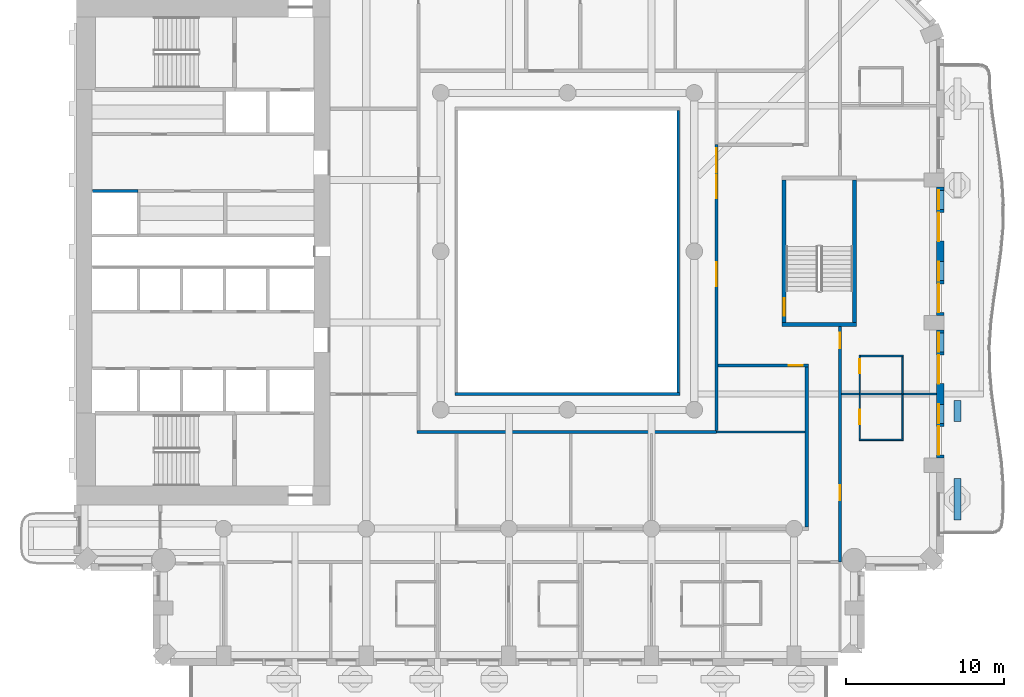
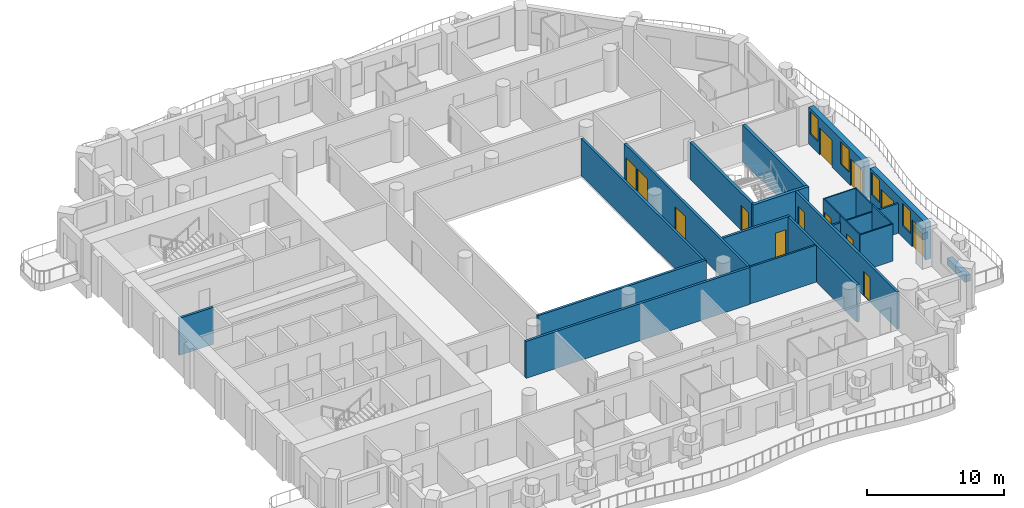
# One storey, part 6 of 19: 25 walls, 13 doors, 4 windows, 17 openings.
"""IFC4 building model written with IfcOpenShell, lengths in metres."""

from ifc_helpers import new_model, si_unit, direction, frame, frame_2d, origin, place, context, subcontext, project, spatial, rectangle, extrude, material, layer, layer_set, type_object, element, fill, save


model = new_model("IFC4")

# Units and contexts
model_context = context("Model", 3, precision=1e-05, world=origin(), true_north=direction((0.0, 1.0)))
body_context = subcontext(model_context, "Body", "Model", "MODEL_VIEW")
ifc_project = project(units=[si_unit("LENGTHUNIT", "METRE"), si_unit("AREAUNIT", "SQUARE_METRE"), si_unit("VOLUMEUNIT", "CUBIC_METRE"), si_unit("PLANEANGLEUNIT", "RADIAN"), si_unit("MASSUNIT", "GRAM", prefix="KILO")], contexts=[model_context])

# Site, building, storey
site_placement = place(None, origin())
site = spatial("IfcSite", under=ifc_project, at=site_placement, CompositionType="ELEMENT")
building_placement = place(site_placement, origin())
building = spatial("IfcBuilding", under=site, at=building_placement, Name="Cypress Arch Tower", CompositionType="ELEMENT")
storey_placement = place(building_placement, frame((0.0, 0.0, 138.300048828125)))
storey = spatial("IfcBuildingStorey", under=building, at=storey_placement, Name="L30", CompositionType="ELEMENT", Elevation=138.300048828125)

# Walls
ifc_material_1 = material(Name="Concrete C40/50, waterproofed", Category="concrete")
ifc_layer_1 = layer(ifc_material_1, 0.449951171875)
ifc_layer_set_1 = layer_set([ifc_layer_1], Name="Balcony planter wall PW450")
wall_type_1 = type_object("IfcWallType", Name="Balcony planter wall PW450", PredefinedType="SOLIDWALL", material=ifc_layer_set_1)
wall_1_placement = place(storey_placement, frame((25.60009765625, -16.949951171875, 0.0), z_axis=(0.0, 0.0, 1.0), x_axis=(0.0, 1.0, 0.0)))
element("IfcWall", 1, at=wall_1_placement, inside=storey, type_object=wall_type_1, Name="Balcony planter wall L30-A06.1", PredefinedType="SOLIDWALL", context=body_context, shape_type="SweptSolid", body=[
    extrude(rectangle(XDim=2.6142578125, YDim=0.449951171875, at=frame_2d((1.30712890625, 0.0))), origin(), (0.0, 0.0, 1.0), 0.599853515625),
])
wall_2_placement = place(storey_placement, frame((25.60009765625, -10.75, 0.0), z_axis=(0.0, 0.0, 1.0), x_axis=(0.0, 1.0, 0.0)))
element("IfcWall", 2, at=wall_2_placement, inside=storey, type_object=wall_type_1, Name="Balcony planter wall L30-A06.2", PredefinedType="SOLIDWALL", context=body_context, shape_type="SweptSolid", body=[
    extrude(rectangle(XDim=1.32861328125, YDim=0.449951171875, at=frame_2d((0.664306640625, 0.0))), origin(), (0.0, 0.0, 1.0), 0.599853515625),
])

# Wall, openings, doors, windows
ifc_material_2 = material(Name="Brick (red buff blend)", Category="masonry")
ifc_layer_2 = layer(ifc_material_2, 0.449951171875)
ifc_layer_set_2 = layer_set([ifc_layer_2], Name="Brick pier and spandrel wall BW450")
wall_type_2 = type_object("IfcWallType", Name="Brick pier and spandrel wall BW450", PredefinedType="SOLIDWALL", material=ifc_layer_set_2)
wall_3_placement = place(storey_placement, frame((24.52490234375, -13.050048828125, 0.0), z_axis=(0.0, 0.0, 1.0), x_axis=(0.0, 1.0, 0.0)))
wall_3 = element("IfcWall", 3, at=wall_3_placement, inside=storey, type_object=wall_type_2, Name="Brick wall L30 A06.1", PredefinedType="SOLIDWALL", context=body_context, shape_type="SweptSolid", body=[
    extrude(rectangle(XDim=8.10009765625, YDim=0.449951171875, at=frame_2d((4.050048828125, 0.0))), origin(), (0.0, 0.0, 1.0), 3.300048828125),
])
opening_1_placement = place(wall_3_placement, frame((0.199951171875, 0.0, 0.0)))
opening_1 = element("IfcOpeningElement", 4, at=opening_1_placement, cuts=wall_3, Name="Opening D-L30-A06.1.1", PredefinedType="OPENING", context=body_context, shape_type="SweptSolid", body=[
    extrude(rectangle(XDim=1.800048828125, YDim=2.39990234375, at=frame_2d((0.89990234375, 1.199951171875))), frame((0.0, 0.23486328125, 0.0), z_axis=(0.0, -1.0, 0.0), x_axis=(1.0, 0.0, 0.0)), (0.0, 0.0, 1.0), 0.469970703125),
])
opening_2_placement = place(wall_3_placement, frame((2.199951171875, 0.0, 1.050048828125)))
opening_2 = element("IfcOpeningElement", 5, at=opening_2_placement, cuts=wall_3, Name="Opening W120HD", PredefinedType="OPENING", context=body_context, shape_type="SweptSolid", body=[
    extrude(rectangle(XDim=1.199951171875, YDim=2.0, at=frame_2d((0.60009765625, 1.0))), frame((0.0, 0.23486328125, 0.0), z_axis=(0.0, -1.0, 0.0), x_axis=(1.0, 0.0, 0.0)), (0.0, 0.0, 1.0), 0.469970703125),
])
opening_3_placement = place(wall_3_placement, frame((4.699951171875, 0.0, 0.0)))
opening_3 = element("IfcOpeningElement", 6, at=opening_3_placement, cuts=wall_3, Name="Opening D-L30-A06.1.2", PredefinedType="OPENING", context=body_context, shape_type="SweptSolid", body=[
    extrude(rectangle(XDim=1.800048828125, YDim=2.39990234375, at=frame_2d((0.89990234375, 1.199951171875))), frame((0.0, 0.23486328125, 0.0), z_axis=(0.0, -1.0, 0.0), x_axis=(1.0, 0.0, 0.0)), (0.0, 0.0, 1.0), 0.469970703125),
])
opening_4_placement = place(wall_3_placement, frame((6.699951171875, 0.0, 1.050048828125)))
opening_4 = element("IfcOpeningElement", 7, at=opening_4_placement, cuts=wall_3, Name="Opening W120HD", PredefinedType="OPENING", context=body_context, shape_type="SweptSolid", body=[
    extrude(rectangle(XDim=1.199951171875, YDim=2.0, at=frame_2d((0.60009765625, 1.0))), frame((0.0, 0.23486328125, 0.0), z_axis=(0.0, -1.0, 0.0), x_axis=(1.0, 0.0, 0.0)), (0.0, 0.0, 1.0), 0.469970703125),
])
ifc_material_3 = material(Name="Anodised aluminium, bronze finish, laminated low-emissivity double glazing, large-missile impact rated", Category="aluminium")
door_type_1 = type_object("IfcDoorType", Name="Balcony sliding door 1800x2400", OperationType="SLIDING_TO_LEFT", PredefinedType="DOOR", material=ifc_material_3)
door_1_placement = place(opening_1_placement, origin())
door_1 = element("IfcDoor", 8, at=door_1_placement, inside=storey, type_object=door_type_1, Name="Balcony door L30 A06.1.1", OperationType="SLIDING_TO_LEFT", OverallHeight=2.39990234375, OverallWidth=1.800048828125, PredefinedType="DOOR", context=body_context, shape_type="SweptSolid", body=[
    extrude(rectangle(XDim=1.800048828125, YDim=2.39990234375, at=frame_2d((0.89990234375, 1.199951171875))), frame((0.0, 0.1298828125, 0.0), z_axis=(0.0, -1.0, 0.0), x_axis=(1.0, 0.0, 0.0)), (0.0, 0.0, 1.0), 0.050048828125),
])
fill(opening_1, door_1)
door_2_placement = place(opening_3_placement, origin())
door_2 = element("IfcDoor", 9, at=door_2_placement, inside=storey, type_object=door_type_1, Name="Balcony door L30 A06.1.2", OperationType="SLIDING_TO_LEFT", OverallHeight=2.39990234375, OverallWidth=1.800048828125, PredefinedType="DOOR", context=body_context, shape_type="SweptSolid", body=[
    extrude(rectangle(XDim=1.800048828125, YDim=2.39990234375, at=frame_2d((0.89990234375, 1.199951171875))), frame((0.0, 0.1298828125, 0.0), z_axis=(0.0, -1.0, 0.0), x_axis=(1.0, 0.0, 0.0)), (0.0, 0.0, 1.0), 0.050048828125),
])
fill(opening_3, door_2)
ifc_material_4 = material(Name="Anodised aluminium, bronze finish, laminated low-emissivity double glazing, large-missile impact rated", Category="aluminium")
window_type = type_object("IfcWindowType", Name="Window Hotel 1200x2000 debris-rated", PartitioningType="SINGLE_PANEL", PredefinedType="WINDOW", material=ifc_material_4)
window_1_placement = place(opening_2_placement, origin())
window_1 = element("IfcWindow", 10, at=window_1_placement, inside=storey, type_object=window_type, Name="Window L30 A06.1.1", OverallHeight=2.0, OverallWidth=1.199951171875, PartitioningType="SINGLE_PANEL", PredefinedType="WINDOW", context=body_context, shape_type="SweptSolid", body=[
    extrude(rectangle(XDim=1.199951171875, YDim=2.0, at=frame_2d((0.60009765625, 1.0))), frame((0.0, 0.135009765625, 0.0), z_axis=(0.0, -1.0, 0.0), x_axis=(1.0, 0.0, 0.0)), (0.0, 0.0, 1.0), 0.06005859375),
])
fill(opening_2, window_1)
window_2_placement = place(opening_4_placement, origin())
window_2 = element("IfcWindow", 11, at=window_2_placement, inside=storey, type_object=window_type, Name="Window L30 A06.1.2", OverallHeight=2.0, OverallWidth=1.199951171875, PartitioningType="SINGLE_PANEL", PredefinedType="WINDOW", context=body_context, shape_type="SweptSolid", body=[
    extrude(rectangle(XDim=1.199951171875, YDim=2.0, at=frame_2d((0.60009765625, 1.0))), frame((0.0, 0.135009765625, 0.0), z_axis=(0.0, -1.0, 0.0), x_axis=(1.0, 0.0, 0.0)), (0.0, 0.0, 1.0), 0.06005859375),
])
fill(opening_4, window_2)

wall_4_placement = place(storey_placement, frame((24.52490234375, -4.050048828125, 0.0), z_axis=(0.0, 0.0, 1.0), x_axis=(0.0, 1.0, 0.0)))
wall_4 = element("IfcWall", 12, at=wall_4_placement, inside=storey, type_object=wall_type_2, Name="Brick wall L30 A06.2", PredefinedType="SOLIDWALL", context=body_context, shape_type="SweptSolid", body=[
    extrude(rectangle(XDim=8.10009765625, YDim=0.449951171875, at=frame_2d((4.050048828125, 0.0))), origin(), (0.0, 0.0, 1.0), 3.300048828125),
])
opening_5_placement = place(wall_4_placement, frame((0.199951171875, 0.0, 0.0)))
opening_5 = element("IfcOpeningElement", 13, at=opening_5_placement, cuts=wall_4, Name="Opening D-L30-A06.2.1", PredefinedType="OPENING", context=body_context, shape_type="SweptSolid", body=[
    extrude(rectangle(XDim=1.800048828125, YDim=2.39990234375, at=frame_2d((0.89990234375, 1.199951171875))), frame((0.0, 0.23486328125, 0.0), z_axis=(0.0, -1.0, 0.0), x_axis=(1.0, 0.0, 0.0)), (0.0, 0.0, 1.0), 0.469970703125),
])
opening_6_placement = place(wall_4_placement, frame((2.199951171875, 0.0, 1.050048828125)))
opening_6 = element("IfcOpeningElement", 14, at=opening_6_placement, cuts=wall_4, Name="Opening W120HD", PredefinedType="OPENING", context=body_context, shape_type="SweptSolid", body=[
    extrude(rectangle(XDim=1.199951171875, YDim=2.0, at=frame_2d((0.60009765625, 1.0))), frame((0.0, 0.23486328125, 0.0), z_axis=(0.0, -1.0, 0.0), x_axis=(1.0, 0.0, 0.0)), (0.0, 0.0, 1.0), 0.469970703125),
])
opening_7_placement = place(wall_4_placement, frame((4.699951171875, 0.0, 0.0)))
opening_7 = element("IfcOpeningElement", 15, at=opening_7_placement, cuts=wall_4, Name="Opening D-L30-A06.2.2", PredefinedType="OPENING", context=body_context, shape_type="SweptSolid", body=[
    extrude(rectangle(XDim=1.800048828125, YDim=2.39990234375, at=frame_2d((0.89990234375, 1.199951171875))), frame((0.0, 0.23486328125, 0.0), z_axis=(0.0, -1.0, 0.0), x_axis=(1.0, 0.0, 0.0)), (0.0, 0.0, 1.0), 0.469970703125),
])
opening_8_placement = place(wall_4_placement, frame((6.699951171875, 0.0, 1.050048828125)))
opening_8 = element("IfcOpeningElement", 16, at=opening_8_placement, cuts=wall_4, Name="Opening W120HD", PredefinedType="OPENING", context=body_context, shape_type="SweptSolid", body=[
    extrude(rectangle(XDim=1.199951171875, YDim=2.0, at=frame_2d((0.60009765625, 1.0))), frame((0.0, 0.23486328125, 0.0), z_axis=(0.0, -1.0, 0.0), x_axis=(1.0, 0.0, 0.0)), (0.0, 0.0, 1.0), 0.469970703125),
])
door_3_placement = place(opening_5_placement, origin())
door_3 = element("IfcDoor", 17, at=door_3_placement, inside=storey, type_object=door_type_1, Name="Balcony door L30 A06.2.1", OperationType="SLIDING_TO_LEFT", OverallHeight=2.39990234375, OverallWidth=1.800048828125, PredefinedType="DOOR", context=body_context, shape_type="SweptSolid", body=[
    extrude(rectangle(XDim=1.800048828125, YDim=2.39990234375, at=frame_2d((0.89990234375, 1.199951171875))), frame((0.0, 0.1298828125, 0.0), z_axis=(0.0, -1.0, 0.0), x_axis=(1.0, 0.0, 0.0)), (0.0, 0.0, 1.0), 0.050048828125),
])
fill(opening_5, door_3)
door_4_placement = place(opening_7_placement, origin())
door_4 = element("IfcDoor", 18, at=door_4_placement, inside=storey, type_object=door_type_1, Name="Balcony door L30 A06.2.2", OperationType="SLIDING_TO_LEFT", OverallHeight=2.39990234375, OverallWidth=1.800048828125, PredefinedType="DOOR", context=body_context, shape_type="SweptSolid", body=[
    extrude(rectangle(XDim=1.800048828125, YDim=2.39990234375, at=frame_2d((0.89990234375, 1.199951171875))), frame((0.0, 0.1298828125, 0.0), z_axis=(0.0, -1.0, 0.0), x_axis=(1.0, 0.0, 0.0)), (0.0, 0.0, 1.0), 0.050048828125),
])
fill(opening_7, door_4)
window_3_placement = place(opening_6_placement, origin())
window_3 = element("IfcWindow", 19, at=window_3_placement, inside=storey, type_object=window_type, Name="Window L30 A06.2.1", OverallHeight=2.0, OverallWidth=1.199951171875, PartitioningType="SINGLE_PANEL", PredefinedType="WINDOW", context=body_context, shape_type="SweptSolid", body=[
    extrude(rectangle(XDim=1.199951171875, YDim=2.0, at=frame_2d((0.60009765625, 1.0))), frame((0.0, 0.135009765625, 0.0), z_axis=(0.0, -1.0, 0.0), x_axis=(1.0, 0.0, 0.0)), (0.0, 0.0, 1.0), 0.06005859375),
])
fill(opening_6, window_3)
window_4_placement = place(opening_8_placement, origin())
window_4 = element("IfcWindow", 20, at=window_4_placement, inside=storey, type_object=window_type, Name="Window L30 A06.2.2", OverallHeight=2.0, OverallWidth=1.199951171875, PartitioningType="SINGLE_PANEL", PredefinedType="WINDOW", context=body_context, shape_type="SweptSolid", body=[
    extrude(rectangle(XDim=1.199951171875, YDim=2.0, at=frame_2d((0.60009765625, 1.0))), frame((0.0, 0.135009765625, 0.0), z_axis=(0.0, -1.0, 0.0), x_axis=(1.0, 0.0, 0.0)), (0.0, 0.0, 1.0), 0.06005859375),
])
fill(opening_8, window_4)

# Walls
ifc_material_5 = material(Name="Concrete blockwork, plastered, rated", Category="masonry")
ifc_layer_3 = layer(ifc_material_5, 0.199951171875)
ifc_layer_set_3 = layer_set([ifc_layer_3], Name="Corridor wall FW200")
wall_type_3 = type_object("IfcWallType", Name="Corridor wall FW200", PredefinedType="PARTITIONING", material=ifc_layer_set_3)
wall_5_placement = place(storey_placement, frame((-8.5, -11.39990234375, 0.0), z_axis=(0.0, 0.0, 1.0), x_axis=(1.0, 0.0, 0.0)))
element("IfcWall", 21, at=wall_5_placement, inside=storey, type_object=wall_type_3, Name="Corridor wall", PredefinedType="PARTITIONING", context=body_context, shape_type="SweptSolid", body=[
    extrude(rectangle(XDim=18.89990234375, YDim=0.199951171875, at=frame_2d((9.449951171875, 0.0))), origin(), (0.0, 0.0, 1.0), 3.300048828125),
])
wall_6_placement = place(storey_placement, frame((-6.10009765625, -9.0, 0.0), z_axis=(0.0, 0.0, 1.0), x_axis=(1.0, 0.0, 0.0)))
element("IfcWall", 22, at=wall_6_placement, inside=storey, type_object=wall_type_3, Name="Corridor wall", PredefinedType="PARTITIONING", context=body_context, shape_type="SweptSolid", body=[
    extrude(rectangle(XDim=14.2001953125, YDim=0.199951171875, at=frame_2d((7.10009765625, 0.0))), origin(), (0.0, 0.0, 1.0), 3.300048828125),
])
wall_7_placement = place(storey_placement, frame((8.0, -8.89990234375, 0.0), z_axis=(0.0, 0.0, 1.0), x_axis=(0.0, 1.0, 0.0)))
element("IfcWall", 23, at=wall_7_placement, inside=storey, type_object=wall_type_3, Name="Corridor wall", PredefinedType="PARTITIONING", context=body_context, shape_type="SweptSolid", body=[
    extrude(rectangle(XDim=17.7998046875, YDim=0.199951171875, at=frame_2d((8.89990234375, 0.0))), origin(), (0.0, 0.0, 1.0), 3.300048828125),
])

# Wall, openings, doors
wall_8_placement = place(storey_placement, frame((10.39990234375, -11.300048828125, 0.0), z_axis=(0.0, 0.0, 1.0), x_axis=(0.0, 1.0, 0.0)))
wall_8 = element("IfcWall", 24, at=wall_8_placement, inside=storey, type_object=wall_type_3, Name="Corridor wall", PredefinedType="PARTITIONING", context=body_context, shape_type="SweptSolid", body=[
    extrude(rectangle(XDim=18.045166015625, YDim=0.199951171875, at=frame_2d((9.0224609375, 0.0))), origin(), (0.0, 0.0, 1.0), 3.300048828125),
])
opening_9_placement = place(wall_8_placement, frame((16.300048828125, 0.0, 0.0)))
opening_9 = element("IfcOpeningElement", 25, at=opening_9_placement, cuts=wall_8, Name="Opening D04", PredefinedType="OPENING", context=body_context, shape_type="SweptSolid", body=[
    extrude(rectangle(XDim=1.5, YDim=2.199951171875, at=frame_2d((0.75, 1.10009765625))), frame((0.0, 0.10986328125, 0.0), z_axis=(0.0, -1.0, 0.0), x_axis=(1.0, 0.0, 0.0)), (0.0, 0.0, 1.0), 0.219970703125),
])
opening_10_placement = place(wall_8_placement, frame((14.64990234375, 0.0, 0.0)))
opening_10 = element("IfcOpeningElement", 26, at=opening_10_placement, cuts=wall_8, Name="Opening D04", PredefinedType="OPENING", context=body_context, shape_type="SweptSolid", body=[
    extrude(rectangle(XDim=1.5, YDim=2.199951171875, at=frame_2d((0.75, 1.10009765625))), frame((0.0, 0.10986328125, 0.0), z_axis=(0.0, -1.0, 0.0), x_axis=(1.0, 0.0, 0.0)), (0.0, 0.0, 1.0), 0.219970703125),
])
opening_11_placement = place(wall_8_placement, frame((9.10009765625, 0.0, 0.0)))
opening_11 = element("IfcOpeningElement", 27, at=opening_11_placement, cuts=wall_8, Name="Opening D04", PredefinedType="OPENING", context=body_context, shape_type="SweptSolid", body=[
    extrude(rectangle(XDim=1.5, YDim=2.199951171875, at=frame_2d((0.75, 1.10009765625))), frame((0.0, 0.10986328125, 0.0), z_axis=(0.0, -1.0, 0.0), x_axis=(1.0, 0.0, 0.0)), (0.0, 0.0, 1.0), 0.219970703125),
])
ifc_material_6 = material(Name="Timber double door", Category="wood")
door_type_2 = type_object("IfcDoorType", Name="Double door D04 1500x2200", OperationType="DOUBLE_DOOR_SINGLE_SWING", PredefinedType="DOOR", material=ifc_material_6)
door_5_placement = place(opening_9_placement, origin())
door_5 = element("IfcDoor", 28, at=door_5_placement, inside=storey, type_object=door_type_2, Name="Double door", OperationType="DOUBLE_DOOR_SINGLE_SWING", OverallHeight=2.199951171875, OverallWidth=1.5, PredefinedType="DOOR", context=body_context, shape_type="SweptSolid", body=[
    extrude(rectangle(XDim=1.5, YDim=2.199951171875, at=frame_2d((0.75, 1.10009765625))), frame((0.0, 0.02490234375, 0.0), z_axis=(0.0, -1.0, 0.0), x_axis=(1.0, 0.0, 0.0)), (0.0, 0.0, 1.0), 0.050048828125),
])
fill(opening_9, door_5)
door_6_placement = place(opening_10_placement, origin())
door_6 = element("IfcDoor", 29, at=door_6_placement, inside=storey, type_object=door_type_2, Name="Double door", OperationType="DOUBLE_DOOR_SINGLE_SWING", OverallHeight=2.199951171875, OverallWidth=1.5, PredefinedType="DOOR", context=body_context, shape_type="SweptSolid", body=[
    extrude(rectangle(XDim=1.5, YDim=2.199951171875, at=frame_2d((0.75, 1.10009765625))), frame((0.0, 0.02490234375, 0.0), z_axis=(0.0, -1.0, 0.0), x_axis=(1.0, 0.0, 0.0)), (0.0, 0.0, 1.0), 0.050048828125),
])
fill(opening_10, door_6)
door_7_placement = place(opening_11_placement, origin())
door_7 = element("IfcDoor", 30, at=door_7_placement, inside=storey, type_object=door_type_2, Name="Double door", OperationType="DOUBLE_DOOR_SINGLE_SWING", OverallHeight=2.199951171875, OverallWidth=1.5, PredefinedType="DOOR", context=body_context, shape_type="SweptSolid", body=[
    extrude(rectangle(XDim=1.5, YDim=2.199951171875, at=frame_2d((0.75, 1.10009765625))), frame((0.0, 0.02490234375, 0.0), z_axis=(0.0, -1.0, 0.0), x_axis=(1.0, 0.0, 0.0)), (0.0, 0.0, 1.0), 0.050048828125),
])
fill(opening_11, door_7)

# Wall, opening, door
wall_9_placement = place(storey_placement, frame((10.5, -7.199951171875, 0.0), z_axis=(0.0, 0.0, 1.0), x_axis=(1.0, 0.0, 0.0)))
wall_9 = element("IfcWall", 31, at=wall_9_placement, inside=storey, type_object=wall_type_3, Name="Corridor wall", PredefinedType="PARTITIONING", context=body_context, shape_type="SweptSolid", body=[
    extrude(rectangle(XDim=5.699951171875, YDim=0.199951171875, at=frame_2d((2.85009765625, 0.0))), origin(), (0.0, 0.0, 1.0), 3.300048828125),
])
opening_12_placement = place(wall_9_placement, frame((4.449951171875, 0.0, 0.0)))
opening_12 = element("IfcOpeningElement", 32, at=opening_12_placement, cuts=wall_9, Name="Opening D05", PredefinedType="OPENING", context=body_context, shape_type="SweptSolid", body=[
    extrude(rectangle(XDim=0.89990234375, YDim=2.199951171875, at=frame_2d((0.449951171875, 1.10009765625))), frame((0.0, 0.10986328125, 0.0), z_axis=(0.0, -1.0, 0.0), x_axis=(1.0, 0.0, 0.0)), (0.0, 0.0, 1.0), 0.219970703125),
])
ifc_material_7 = material(Name="Timber flush door", Category="wood")
door_type_3 = type_object("IfcDoorType", Name="Service door D05 900x2200", OperationType="SINGLE_SWING_LEFT", PredefinedType="DOOR", material=ifc_material_7)
door_8_placement = place(opening_12_placement, origin())
door_8 = element("IfcDoor", 33, at=door_8_placement, inside=storey, type_object=door_type_3, Name="Service door", OperationType="SINGLE_SWING_LEFT", OverallHeight=2.199951171875, OverallWidth=0.89990234375, PredefinedType="DOOR", context=body_context, shape_type="SweptSolid", body=[
    extrude(rectangle(XDim=0.89990234375, YDim=2.199951171875, at=frame_2d((0.449951171875, 1.10009765625))), frame((0.0, 0.02490234375, 0.0), z_axis=(0.0, -1.0, 0.0), x_axis=(1.0, 0.0, 0.0)), (0.0, 0.0, 1.0), 0.050048828125),
])
fill(opening_12, door_8)

# Wall
wall_10_placement = place(storey_placement, frame((16.10009765625, -17.39990234375, 0.0), z_axis=(0.0, 0.0, 1.0), x_axis=(0.0, 1.0, 0.0)))
element("IfcWall", 34, at=wall_10_placement, inside=storey, type_object=wall_type_3, Name="Corridor wall", PredefinedType="PARTITIONING", context=body_context, shape_type="SweptSolid", body=[
    extrude(rectangle(XDim=10.099853515625, YDim=0.199951171875, at=frame_2d((5.0498046875, 0.0))), origin(), (0.0, 0.0, 1.0), 3.300048828125),
])

# Wall, openings, doors
wall_11_placement = place(storey_placement, frame((18.199951171875, -19.60009765625, 0.0), z_axis=(0.0, 0.0, 1.0), x_axis=(0.0, 1.0, 0.0)))
wall_11 = element("IfcWall", 35, at=wall_11_placement, inside=storey, type_object=wall_type_3, Name="Corridor wall", PredefinedType="PARTITIONING", context=body_context, shape_type="SweptSolid", body=[
    extrude(rectangle(XDim=14.85009765625, YDim=0.199951171875, at=frame_2d((7.425048828125, 0.0))), origin(), (0.0, 0.0, 1.0), 3.300048828125),
])
opening_13_placement = place(wall_11_placement, frame((3.89990234375, 0.0, 0.0)))
opening_13 = element("IfcOpeningElement", 36, at=opening_13_placement, cuts=wall_11, Name="Opening D02", PredefinedType="OPENING", context=body_context, shape_type="SweptSolid", body=[
    extrude(rectangle(XDim=0.949951171875, YDim=2.199951171875, at=frame_2d((0.47509765625, 1.10009765625))), frame((0.0, 0.10986328125, 0.0), z_axis=(0.0, -1.0, 0.0), x_axis=(1.0, 0.0, 0.0)), (0.0, 0.0, 1.0), 0.219970703125),
])
opening_14_placement = place(wall_11_placement, frame((13.5, 0.0, 0.0)))
opening_14 = element("IfcOpeningElement", 37, at=opening_14_placement, cuts=wall_11, Name="Opening D02", PredefinedType="OPENING", context=body_context, shape_type="SweptSolid", body=[
    extrude(rectangle(XDim=0.949951171875, YDim=2.199951171875, at=frame_2d((0.47509765625, 1.10009765625))), frame((0.0, 0.10986328125, 0.0), z_axis=(0.0, -1.0, 0.0), x_axis=(1.0, 0.0, 0.0)), (0.0, 0.0, 1.0), 0.219970703125),
])
ifc_material_8 = material(Name="Timber flush door, fire resisting", Category="wood")
door_type_4 = type_object("IfcDoorType", Name="Room door D02 950x2200", OperationType="SINGLE_SWING_LEFT", PredefinedType="DOOR", material=ifc_material_8)
door_9_placement = place(opening_13_placement, origin())
door_9 = element("IfcDoor", 38, at=door_9_placement, inside=storey, type_object=door_type_4, Name="Room door", OperationType="SINGLE_SWING_RIGHT", OverallHeight=2.199951171875, OverallWidth=0.949951171875, PredefinedType="DOOR", context=body_context, shape_type="SweptSolid", body=[
    extrude(rectangle(XDim=0.949951171875, YDim=2.199951171875, at=frame_2d((0.47509765625, 1.10009765625))), frame((0.0, 0.02490234375, 0.0), z_axis=(0.0, -1.0, 0.0), x_axis=(1.0, 0.0, 0.0)), (0.0, 0.0, 1.0), 0.050048828125),
])
fill(opening_13, door_9)
door_10_placement = place(opening_14_placement, origin())
door_10 = element("IfcDoor", 39, at=door_10_placement, inside=storey, type_object=door_type_4, Name="Room door", OperationType="SINGLE_SWING_LEFT", OverallHeight=2.199951171875, OverallWidth=0.949951171875, PredefinedType="DOOR", context=body_context, shape_type="SweptSolid", body=[
    extrude(rectangle(XDim=0.949951171875, YDim=2.199951171875, at=frame_2d((0.47509765625, 1.10009765625))), frame((0.0, 0.02490234375, 0.0), z_axis=(0.0, -1.0, 0.0), x_axis=(1.0, 0.0, 0.0)), (0.0, 0.0, 1.0), 0.050048828125),
])
fill(opening_14, door_10)

# Walls
ifc_material_9 = material(Name="Blockwork, plastered both sides", Category="masonry")
ifc_layer_4 = layer(ifc_material_9, 0.14990234375)
ifc_layer_set_4 = layer_set([ifc_layer_4], Name="Partition PW150")
wall_type_4 = type_object("IfcWallType", Name="Partition PW150", PredefinedType="PARTITIONING", material=ifc_layer_set_4)
wall_12_placement = place(storey_placement, frame((10.39990234375, -11.39990234375, 0.0), z_axis=(0.0, 0.0, 1.0), x_axis=(1.0, 0.0, 0.0)))
element("IfcWall", 40, at=wall_12_placement, inside=storey, type_object=wall_type_4, Name="Partition", PredefinedType="PARTITIONING", context=body_context, shape_type="SweptSolid", body=[
    extrude(rectangle(XDim=5.60009765625, YDim=0.14990234375, at=frame_2d((2.800048828125, 0.0))), origin(), (0.0, 0.0, 1.0), 3.300048828125),
])
wall_13_placement = place(storey_placement, frame((18.300048828125, -9.0, 0.0), z_axis=(0.0, 0.0, 1.0), x_axis=(1.0, 0.0, 0.0)))
element("IfcWall", 41, at=wall_13_placement, inside=storey, type_object=wall_type_4, Name="Partition", PredefinedType="PARTITIONING", context=body_context, shape_type="SweptSolid", body=[
    extrude(rectangle(XDim=1.1298828125, YDim=0.14990234375, at=frame_2d((0.56494140625, 0.0))), origin(), (0.0, 0.0, 1.0), 2.64990234375),
])
wall_14_placement = place(storey_placement, frame((22.169921875, -9.0, 0.0), z_axis=(0.0, 0.0, 1.0), x_axis=(1.0, 0.0, 0.0)))
element("IfcWall", 42, at=wall_14_placement, inside=storey, type_object=wall_type_4, Name="Partition", PredefinedType="PARTITIONING", context=body_context, shape_type="SweptSolid", body=[
    extrude(rectangle(XDim=2.130126953125, YDim=0.14990234375, at=frame_2d((1.06494140625, 0.0))), origin(), (0.0, 0.0, 1.0), 2.64990234375),
])
ifc_material_10 = material(Name="Concrete C50/60", Category="concrete")
ifc_layer_5 = layer(ifc_material_10, 0.199951171875)
ifc_layer_set_5 = layer_set([ifc_layer_5], Name="Shaft wall SH200")
wall_type_5 = type_object("IfcWallType", Name="Shaft wall SH200", PredefinedType="SHEAR", material=ifc_layer_set_5)
wall_15_placement = place(storey_placement, frame((-28.969970703125, 3.800048828125, 0.0), z_axis=(0.0, 0.0, 1.0), x_axis=(1.0, 0.0, 0.0)))
element("IfcWall", 43, at=wall_15_placement, inside=storey, type_object=wall_type_5, Name="Shaft wall", PredefinedType="SHEAR", context=body_context, shape_type="SweptSolid", body=[
    extrude(rectangle(XDim=2.869873046875, YDim=0.199951171875, at=frame_2d((1.43505859375, 0.0))), origin(), (0.0, 0.0, 1.0), 3.300048828125),
])

# Wall, opening, door
ifc_material_11 = material(Name="Concrete C50/60", Category="concrete")
ifc_layer_6 = layer(ifc_material_11, 0.25)
ifc_layer_set_6 = layer_set([ifc_layer_6], Name="Stair enclosure wall SW250")
wall_type_6 = type_object("IfcWallType", Name="Stair enclosure wall SW250", PredefinedType="SHEAR", material=ifc_layer_set_6)
wall_16_placement = place(storey_placement, frame((14.675048828125, -4.5, 0.0), z_axis=(0.0, 0.0, 1.0), x_axis=(0.0, 1.0, 0.0)))
wall_16 = element("IfcWall", 44, at=wall_16_placement, inside=storey, type_object=wall_type_6, Name="Stair enclosure wall", PredefinedType="SHEAR", context=body_context, shape_type="SweptSolid", body=[
    extrude(rectangle(XDim=9.0, YDim=0.25, at=frame_2d((4.5, 0.0))), origin(), (0.0, 0.0, 1.0), 3.300048828125),
])
opening_15_placement = place(wall_16_placement, frame((0.449951171875, 0.0, 0.0)))
opening_15 = element("IfcOpeningElement", 45, at=opening_15_placement, cuts=wall_16, Name="Opening D06", PredefinedType="OPENING", context=body_context, shape_type="SweptSolid", body=[
    extrude(rectangle(XDim=1.10009765625, YDim=2.199951171875, at=frame_2d((0.550048828125, 1.10009765625))), frame((0.0, 0.135009765625, 0.0), z_axis=(0.0, -1.0, 0.0), x_axis=(1.0, 0.0, 0.0)), (0.0, 0.0, 1.0), 0.27001953125),
])
ifc_material_12 = material(Name="Steel door, fire resisting, panic bar", Category="steel")
door_type_5 = type_object("IfcDoorType", Name="Stair door D06 1100x2200", OperationType="SINGLE_SWING_LEFT", PredefinedType="DOOR", material=ifc_material_12)
door_11_placement = place(opening_15_placement, origin())
door_11 = element("IfcDoor", 46, at=door_11_placement, inside=storey, type_object=door_type_5, Name="Stair door", OperationType="SINGLE_SWING_RIGHT", OverallHeight=2.199951171875, OverallWidth=1.10009765625, PredefinedType="DOOR", context=body_context, shape_type="SweptSolid", body=[
    extrude(rectangle(XDim=1.10009765625, YDim=2.199951171875, at=frame_2d((0.550048828125, 1.10009765625))), frame((0.0, 0.02490234375, 0.0), z_axis=(0.0, -1.0, 0.0), x_axis=(1.0, 0.0, 0.0)), (0.0, 0.0, 1.0), 0.050048828125),
])
fill(opening_15, door_11)

# Walls
wall_17_placement = place(storey_placement, frame((14.550048828125, -4.625, 0.0), z_axis=(0.0, 0.0, 1.0), x_axis=(1.0, 0.0, 0.0)))
element("IfcWall", 47, at=wall_17_placement, inside=storey, type_object=wall_type_6, Name="Stair enclosure wall", PredefinedType="SHEAR", context=body_context, shape_type="SweptSolid", body=[
    extrude(rectangle(XDim=4.699951171875, YDim=0.25, at=frame_2d((2.35009765625, 0.0))), origin(), (0.0, 0.0, 1.0), 3.300048828125),
])
wall_18_placement = place(storey_placement, frame((19.125, -4.5, 0.0), z_axis=(0.0, 0.0, 1.0), x_axis=(0.0, 1.0, 0.0)))
element("IfcWall", 48, at=wall_18_placement, inside=storey, type_object=wall_type_6, Name="Stair enclosure wall", PredefinedType="SHEAR", context=body_context, shape_type="SweptSolid", body=[
    extrude(rectangle(XDim=9.0, YDim=0.25, at=frame_2d((4.5, 0.0))), origin(), (0.0, 0.0, 1.0), 3.300048828125),
])
ifc_material_13 = material(Name="Moisture resistant board on steel studs, tiled", Category="steel")
ifc_layer_7 = layer(ifc_material_13, 0.10009765625)
ifc_layer_set_7 = layer_set([ifc_layer_7], Name="Wet wall PW100")
wall_type_7 = type_object("IfcWallType", Name="Wet wall PW100", PredefinedType="PARTITIONING", material=ifc_layer_set_7)
wall_19_placement = place(storey_placement, frame((19.429931640625, -9.0, 0.0), z_axis=(0.0, 0.0, 1.0), x_axis=(1.0, 0.0, 0.0)))
element("IfcWall", 49, at=wall_19_placement, inside=storey, type_object=wall_type_7, Name="Wet wall", PredefinedType="PARTITIONING", context=body_context, shape_type="SweptSolid", body=[
    extrude(rectangle(XDim=2.739990234375, YDim=0.10009765625, at=frame_2d((1.3701171875, 0.0))), origin(), (0.0, 0.0, 1.0), 2.64990234375),
])

# Wall, opening, door
wall_20_placement = place(storey_placement, frame((19.449951171875, -11.845947265625, 0.0), z_axis=(0.0, 0.0, 1.0), x_axis=(0.0, 1.0, 0.0)))
wall_20 = element("IfcWall", 50, at=wall_20_placement, inside=storey, type_object=wall_type_7, Name="Wet wall", PredefinedType="PARTITIONING", context=body_context, shape_type="SweptSolid", body=[
    extrude(rectangle(XDim=2.845947265625, YDim=0.10009765625, at=frame_2d((1.4228515625, 0.0))), origin(), (0.0, 0.0, 1.0), 3.300048828125),
])
opening_16_placement = place(wall_20_placement, frame((0.949951171875, 0.0, 0.0)))
opening_16 = element("IfcOpeningElement", 51, at=opening_16_placement, cuts=wall_20, Name="Opening D03", PredefinedType="OPENING", context=body_context, shape_type="SweptSolid", body=[
    extrude(rectangle(XDim=0.89990234375, YDim=2.199951171875, at=frame_2d((0.449951171875, 1.10009765625))), frame((0.0, 0.06005859375, 0.0), z_axis=(0.0, -1.0, 0.0), x_axis=(1.0, 0.0, 0.0)), (0.0, 0.0, 1.0), 0.1201171875),
])
ifc_material_14 = material(Name="Timber flush door, moisture resistant", Category="wood")
door_type_6 = type_object("IfcDoorType", Name="Bathroom door D03 900x2200", OperationType="SINGLE_SWING_LEFT", PredefinedType="DOOR", material=ifc_material_14)
door_12_placement = place(opening_16_placement, origin())
door_12 = element("IfcDoor", 52, at=door_12_placement, inside=storey, type_object=door_type_6, Name="Bathroom door", OperationType="SINGLE_SWING_LEFT", OverallHeight=2.199951171875, OverallWidth=0.89990234375, PredefinedType="DOOR", context=body_context, shape_type="SweptSolid", body=[
    extrude(rectangle(XDim=0.89990234375, YDim=2.199951171875, at=frame_2d((0.449951171875, 1.10009765625))), frame((0.0, 0.02490234375, 0.0), z_axis=(0.0, -1.0, 0.0), x_axis=(1.0, 0.0, 0.0)), (0.0, 0.0, 1.0), 0.050048828125),
])
fill(opening_16, door_12)

# Wall
wall_21_placement = place(storey_placement, frame((19.39990234375, -11.89599609375, 0.0), z_axis=(0.0, 0.0, 1.0), x_axis=(1.0, 0.0, 0.0)))
element("IfcWall", 53, at=wall_21_placement, inside=storey, type_object=wall_type_7, Name="Wet wall", PredefinedType="PARTITIONING", context=body_context, shape_type="SweptSolid", body=[
    extrude(rectangle(XDim=2.800048828125, YDim=0.10009765625, at=frame_2d((1.39990234375, 0.0))), origin(), (0.0, 0.0, 1.0), 3.300048828125),
])

# Wall, opening, door
wall_22_placement = place(storey_placement, frame((19.449951171875, -9.0, 0.0), z_axis=(0.0, 0.0, 1.0), x_axis=(0.000399241409, 0.999999920303, 0.0)))
wall_22 = element("IfcWall", 54, at=wall_22_placement, inside=storey, type_object=wall_type_7, Name="Wet wall", PredefinedType="PARTITIONING", context=body_context, shape_type="SweptSolid", body=[
    extrude(rectangle(XDim=2.446044921875, YDim=0.10009765625, at=frame_2d((1.22314453125, 0.0))), origin(), (0.0, 0.0, 1.0), 3.300048828125),
])
opening_17_placement = place(wall_22_placement, frame((1.300048828125, 0.0, 0.0)))
opening_17 = element("IfcOpeningElement", 55, at=opening_17_placement, cuts=wall_22, Name="Opening D03", PredefinedType="OPENING", context=body_context, shape_type="SweptSolid", body=[
    extrude(rectangle(XDim=0.89990234375, YDim=2.199951171875, at=frame_2d((0.449951171875, 1.10009765625))), frame((0.0, 0.06005859375, 0.0), z_axis=(0.0, -1.0, 0.0), x_axis=(1.0, 0.0, 0.0)), (0.0, 0.0, 1.0), 0.1201171875),
])
door_13_placement = place(opening_17_placement, origin())
door_13 = element("IfcDoor", 56, at=door_13_placement, inside=storey, type_object=door_type_6, Name="Bathroom door", OperationType="SINGLE_SWING_LEFT", OverallHeight=2.199951171875, OverallWidth=0.89990234375, PredefinedType="DOOR", context=body_context, shape_type="SweptSolid", body=[
    extrude(rectangle(XDim=0.89990234375, YDim=2.199951171875, at=frame_2d((0.449951171875, 1.10009765625))), frame((0.0, 0.02490234375, 0.0), z_axis=(0.0, -1.0, 0.0), x_axis=(1.0, 0.0, 0.0)), (0.0, 0.0, 1.0), 0.050048828125),
])
fill(opening_17, door_13)

# Walls
wall_23_placement = place(storey_placement, frame((19.5009765625, -6.60400390625, 0.0), z_axis=(0.0, 0.0, 1.0), x_axis=(0.999999934588, -0.000361696332, 0.0)))
element("IfcWall", 57, at=wall_23_placement, inside=storey, type_object=wall_type_7, Name="Wet wall", PredefinedType="PARTITIONING", context=body_context, shape_type="SweptSolid", body=[
    extrude(rectangle(XDim=2.699951171875, YDim=0.10009765625, at=frame_2d((1.35009765625, 0.0))), origin(), (0.0, 0.0, 1.0), 3.300048828125),
])
wall_24_placement = place(storey_placement, frame((22.14990234375, -11.845947265625, 0.0), z_axis=(0.0, 0.0, 1.0), x_axis=(0.0, 1.0, 0.0)))
element("IfcWall", 58, at=wall_24_placement, inside=storey, type_object=wall_type_7, Name="Wet wall", PredefinedType="PARTITIONING", context=body_context, shape_type="SweptSolid", body=[
    extrude(rectangle(XDim=2.845947265625, YDim=0.10009765625, at=frame_2d((1.4228515625, 0.0))), origin(), (0.0, 0.0, 1.0), 3.300048828125),
])
wall_25_placement = place(storey_placement, frame((22.14990234375, -9.0, 0.0), z_axis=(0.0, 0.0, 1.0), x_axis=(0.00041644973, 0.999999913285, 0.0)))
element("IfcWall", 59, at=wall_25_placement, inside=storey, type_object=wall_type_7, Name="Wet wall", PredefinedType="PARTITIONING", context=body_context, shape_type="SweptSolid", body=[
    extrude(rectangle(XDim=2.344970703125, YDim=0.10009765625, at=frame_2d((1.17236328125, 0.0))), origin(), (0.0, 0.0, 1.0), 3.300048828125),
])

save(model, "model.ifc")
